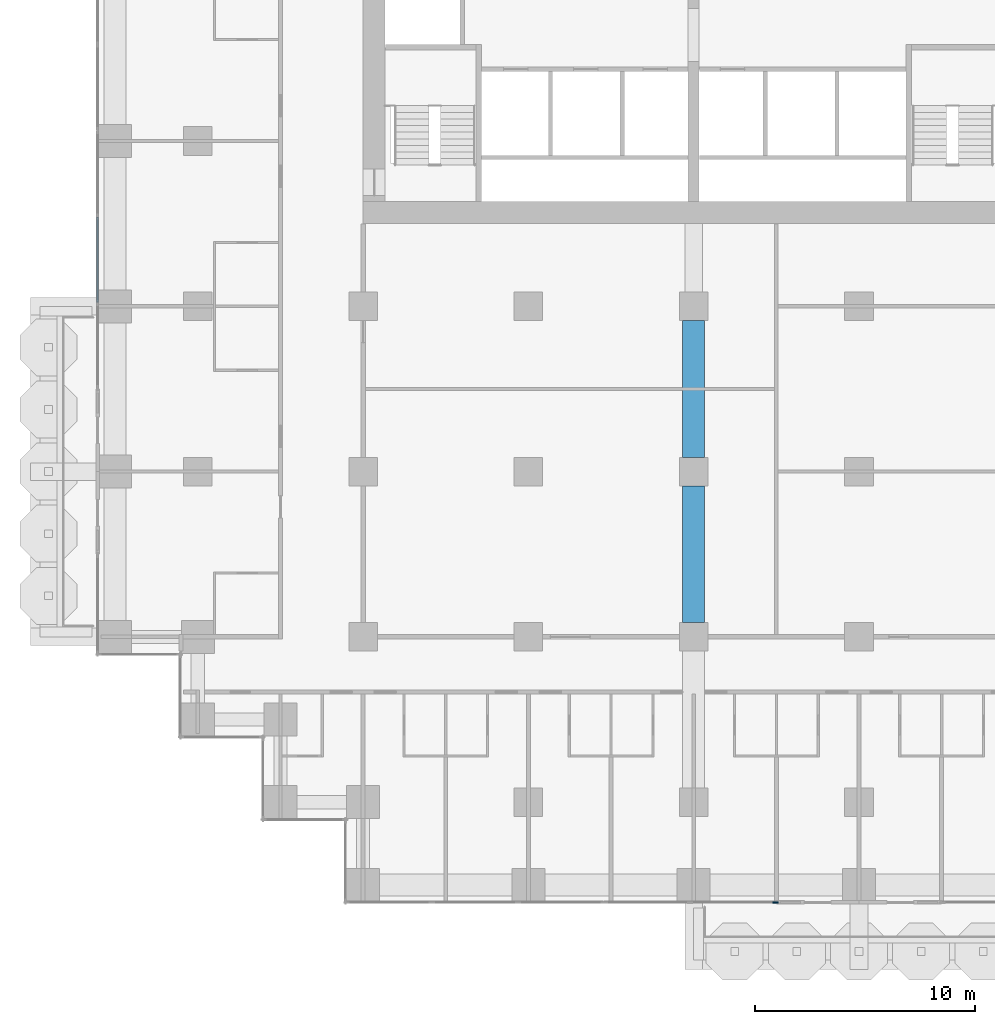
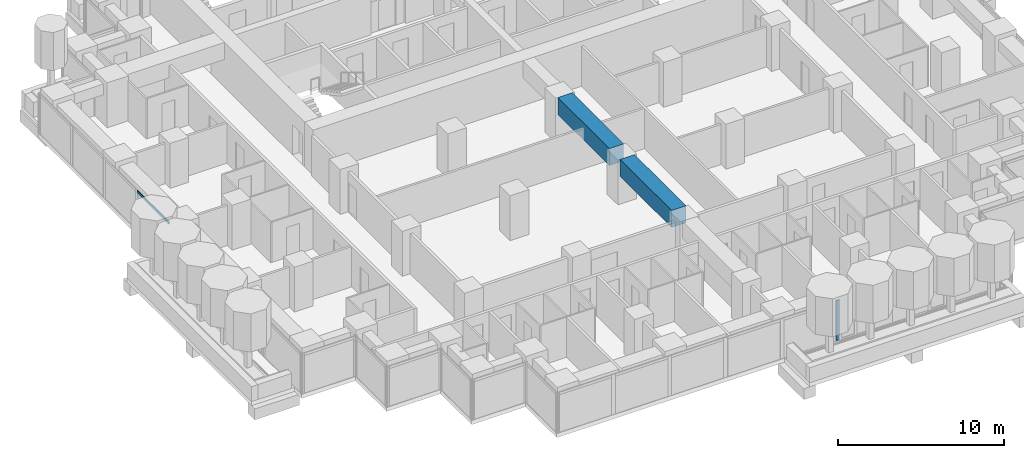
# One storey, part 3 of 20: 2 beams, 2 members, 2 elements without a shape of their own.
"""IFC4 building model written with IfcOpenShell, lengths in metres."""

from ifc_helpers import new_model, si_unit, direction, frame, origin, origin_2d, place, context, subcontext, project, spatial, rectangle, extrude, material, material_profile, profile_set, type_object, element, aggregate, save


model = new_model("IFC4")

# Units and contexts
model_context = context("Model", 3, precision=1e-05, world=origin(), true_north=direction((0.0, 1.0)))
body_context = subcontext(model_context, "Body", "Model", "MODEL_VIEW")
ifc_project = project(units=[si_unit("LENGTHUNIT", "METRE"), si_unit("AREAUNIT", "SQUARE_METRE"), si_unit("VOLUMEUNIT", "CUBIC_METRE"), si_unit("PLANEANGLEUNIT", "RADIAN"), si_unit("MASSUNIT", "GRAM", prefix="KILO")], contexts=[model_context])

# Site, building, storey
site_placement = place(None, origin())
site = spatial("IfcSite", under=ifc_project, at=site_placement, CompositionType="ELEMENT")
building_placement = place(site_placement, origin())
building = spatial("IfcBuilding", under=site, at=building_placement, Name="Pilkhan Gate Tower", CompositionType="ELEMENT")
storey_placement = place(building_placement, frame((0.0, 0.0, 98.89990234375)))
storey = spatial("IfcBuildingStorey", under=building, at=storey_placement, Name="L24", CompositionType="ELEMENT", Elevation=98.89990234375)

# Curtain wall, member
ifc_material_1 = material(Name="Pale anodised aluminium, clear low-iron double glazing", Category="aluminium")
curtain_wall_type = type_object("IfcCurtainWallType", Name="Hotel unitised curtain wall CW-H", PredefinedType="USERDEFINED", material=ifc_material_1)
curtain_wall_1_placement = place(storey_placement, origin())
curtain_wall_1 = element("IfcCurtainWall", 1, at=curtain_wall_1_placement, inside=storey, type_object=curtain_wall_type, Name="Hotel unitised curtain wall CW-H L24 S", ObjectType="UNITISED CURTAIN WALL", PredefinedType="USERDEFINED")
ifc_material_2 = material(Name="Pale anodised aluminium", Category="aluminium")
ifc_material_profile_1 = material_profile(ifc_material_2, rectangle(XDim=0.06494140625, YDim=0.25, at=origin_2d()), Name="Mullion 250x65")
ifc_profile_set_1 = profile_set([ifc_material_profile_1], Name="Pale anodised aluminium")
member_type_1 = type_object("IfcMemberType", Name="Mullion CW-H 250x65", PredefinedType="MULLION", material=ifc_profile_set_1)
member_1_placement = place(storey_placement, frame((78.717529296875, 40.455078125, 0.0), z_axis=(0.0, 0.0, 1.0), x_axis=(0.0, 1.0, 0.0)))
member_1 = element("IfcMember", 2, at=member_1_placement, type_object=member_type_1, Name="CW-H mullion 3", PredefinedType="MULLION", context=body_context, shape_type="SweptSolid", body=[
    extrude(rectangle(XDim=0.06494140625, YDim=0.25, at=origin_2d()), origin(), (0.0, 0.0, 1.0), 2.9501953125),
])
aggregate(curtain_wall_1, [member_1])

# Beams
ifc_material_3 = material(Name="Concrete C60/75", Category="concrete")
ifc_material_profile_2 = material_profile(ifc_material_3, rectangle(XDim=1.0, YDim=1.25, at=origin_2d()), Name="RC 1000x1250")
ifc_profile_set_2 = profile_set([ifc_material_profile_2], Name="Concrete C60/75")
beam_type = type_object("IfcBeamType", Name="Outrigger support beam OB2 RC 1000x1250 C60/75", PredefinedType="BEAM", material=ifc_profile_set_2)
for number, where, z_axis, x_axis, name in (
    (3, (75.0, 53.14990234375, 2.675048828125), (0.0, 1.0, 0.0), (-1.0, 0.0, 0.0), "Outrigger support beam 2 L25"),
    (4, (75.0, 60.64990234375, 2.675048828125), (0.0, 1.0, 0.0), (-1.0, 0.0, 0.0), "Outrigger support beam 3 L25"),
):
    element("IfcBeam", number, at=place(storey_placement, frame(where, z_axis=z_axis, x_axis=x_axis)), inside=storey, type_object=beam_type, Name=name, PredefinedType="BEAM", context=body_context, shape_type="SweptSolid", body=[
        extrude(rectangle(XDim=1.0, YDim=1.25, at=origin_2d()), origin(), (0.0, 0.0, 1.0), 6.2001953125),
    ])

# Curtain wall, member
curtain_wall_2_placement = place(storey_placement, origin())
curtain_wall_2 = element("IfcCurtainWall", 5, at=curtain_wall_2_placement, inside=storey, type_object=curtain_wall_type, Name="Hotel unitised curtain wall CW-H L24 W", ObjectType="UNITISED CURTAIN WALL", PredefinedType="USERDEFINED")
ifc_material_profile_3 = material_profile(ifc_material_2, rectangle(XDim=0.06494140625, YDim=0.179931640625, at=origin_2d()), Name="Transom 180x65")
ifc_profile_set_3 = profile_set([ifc_material_profile_3], Name="Pale anodised aluminium")
member_type_2 = type_object("IfcMemberType", Name="Transom CW-H 180x65", PredefinedType="USERDEFINED", material=ifc_profile_set_3)
member_2_placement = place(storey_placement, frame((47.955078125, 67.69140625, 2.860107421875), z_axis=(0.0, 1.0, 0.0), x_axis=(-1.0, 0.0, 0.0)))
member_2 = element("IfcMember", 6, at=member_2_placement, type_object=member_type_2, Name="CW-H transom 2", ObjectType="TRANSOM", PredefinedType="USERDEFINED", context=body_context, shape_type="SweptSolid", body=[
    extrude(rectangle(XDim=0.06494140625, YDim=0.179931640625, at=origin_2d()), origin(), (0.0, 0.0, 1.0), 3.843994140625),
])
aggregate(curtain_wall_2, [member_2])

save(model, "model.ifc")
